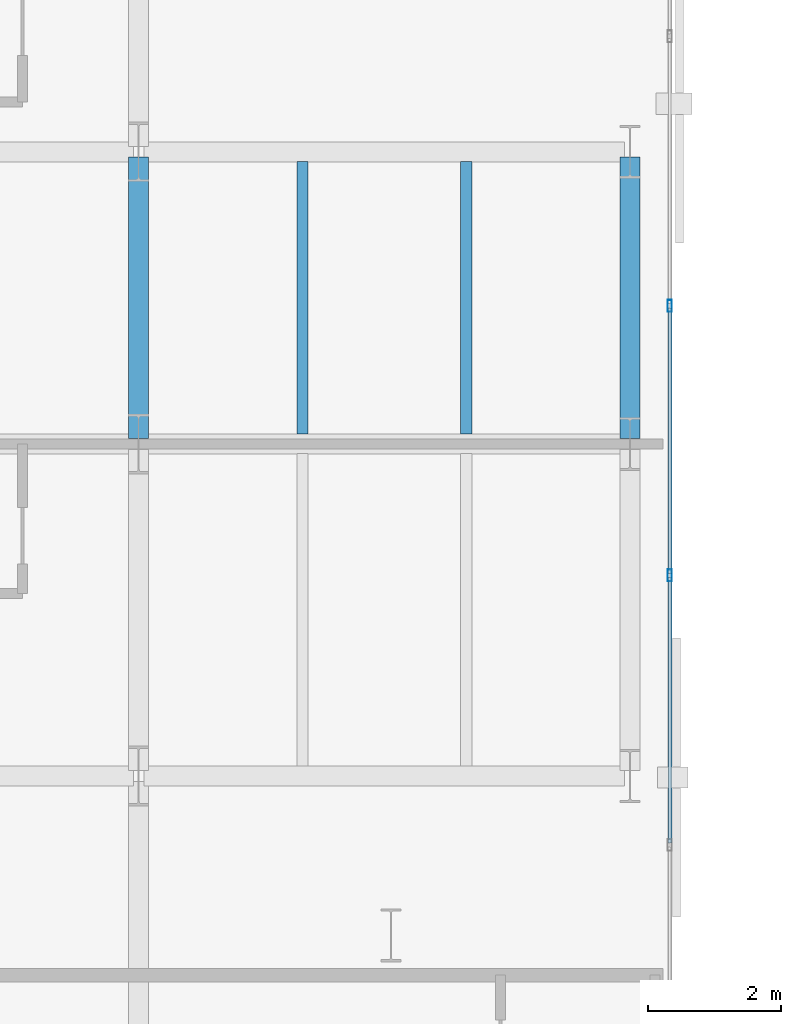
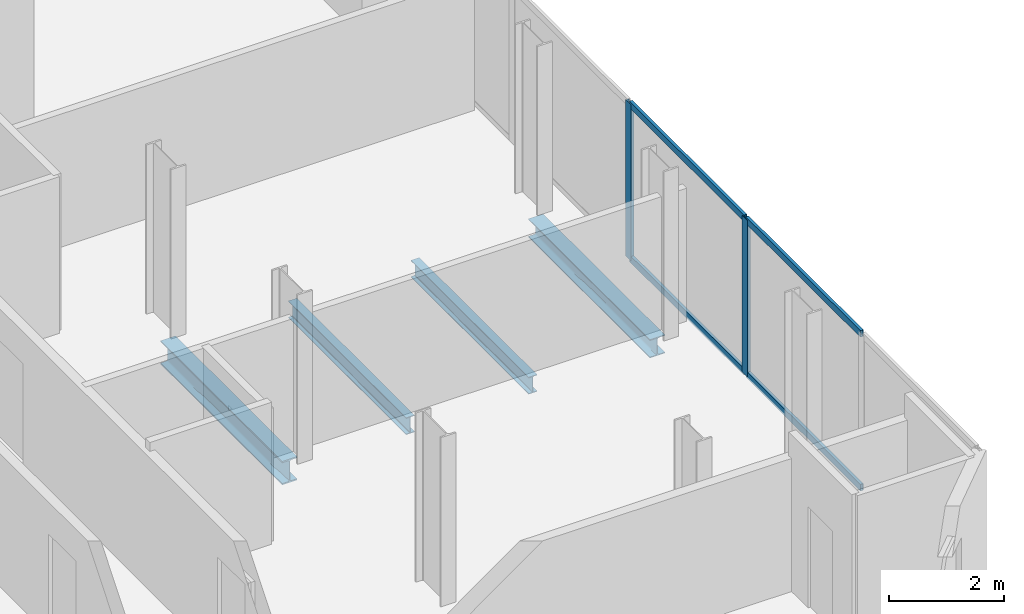
# One storey, part 8 of 32: 6 members, 4 beams, 1 element without a shape of its own.
"""IFC4 building model written with IfcOpenShell, lengths in metres."""

from ifc_helpers import new_model, si_unit, direction, frame, origin, origin_2d, place, context, subcontext, project, spatial, hollow_rectangle, i_section, extrude, material, layer, layer_set, material_profile, profile_set, type_object, element, aggregate, save


model = new_model("IFC4")

# Units and contexts
model_context = context("Model", 3, precision=1e-05, world=origin(), true_north=direction((0.0, 1.0)))
body_context = subcontext(model_context, "Body", "Model", "MODEL_VIEW")
ifc_project = project(units=[si_unit("LENGTHUNIT", "METRE"), si_unit("AREAUNIT", "SQUARE_METRE"), si_unit("VOLUMEUNIT", "CUBIC_METRE"), si_unit("PLANEANGLEUNIT", "RADIAN"), si_unit("MASSUNIT", "GRAM", prefix="KILO")], contexts=[model_context])

# Site, building, storey
site_placement = place(None, origin())
site = spatial("IfcSite", under=ifc_project, at=site_placement, CompositionType="ELEMENT")
building_placement = place(site_placement, origin())
building = spatial("IfcBuilding", under=site, at=building_placement, Name="Catumbela Crestline Tower", CompositionType="ELEMENT")
storey_placement = place(building_placement, frame((0.0, 0.0, 65.4)))
storey = spatial("IfcBuildingStorey", under=building, at=storey_placement, Name="L16", CompositionType="ELEMENT", Elevation=65.4)

# Beams
ifc_material_1 = material(Name="Structural steel S355J2", Category="steel")
ifc_material_profile_1 = material_profile(ifc_material_1, i_section(OverallWidth=0.3, OverallDepth=0.5, WebThickness=0.0145, FlangeThickness=0.028, FilletRadius=0.027, at=origin_2d()), Name="HEB 500")
ifc_profile_set_1 = profile_set([ifc_material_profile_1], Name="Structural steel S355J2")
beam_type_1 = type_object("IfcBeamType", Name="BG-HEB500", PredefinedType="BEAM", material=ifc_profile_set_1)
beam_1_placement = place(storey_placement, frame((16.0, 13.68, -0.51), z_axis=(0.0, 1.0, 0.0), x_axis=(-1.0, 0.0, 0.0)))
element("IfcBeam", 1, at=beam_1_placement, inside=storey, type_object=beam_type_1, Name="L16 Beam BM-L16-WNS66", PredefinedType="BEAM", context=body_context, shape_type="SweptSolid", body=[
    extrude(i_section(OverallWidth=0.3, OverallDepth=0.5, WebThickness=0.0145, FlangeThickness=0.028, FilletRadius=0.027, at=origin_2d()), origin(), (0.0, 0.0, 1.0), 4.24),
])
ifc_material_profile_2 = material_profile(ifc_material_1, i_section(OverallWidth=0.17, OverallDepth=0.36, WebThickness=0.008, FlangeThickness=0.0127, FilletRadius=0.018, at=origin_2d()), Name="IPE 360")
ifc_profile_set_2 = profile_set([ifc_material_profile_2], Name="Structural steel S355J2")
beam_type_2 = type_object("IfcBeamType", Name="BJ-IPE360", PredefinedType="JOIST", material=ifc_profile_set_2)
for number, where, z_axis, x_axis, name in (
    (2, (18.467, 13.747, -0.44), (0.0, 1.0, 0.0), (-1.0, 0.0, 0.0), "L16 Joist JS-L16-WG80"),
    (3, (20.933, 13.747, -0.44), (0.0, 1.0, 0.0), (-1.0, 0.0, 0.0), "L16 Joist JS-L16-WG81"),
):
    element("IfcBeam", number, at=place(storey_placement, frame(where, z_axis=z_axis, x_axis=x_axis)), inside=storey, type_object=beam_type_2, Name=name, PredefinedType="JOIST", context=body_context, shape_type="SweptSolid", body=[
        extrude(i_section(OverallWidth=0.17, OverallDepth=0.36, WebThickness=0.008, FlangeThickness=0.0127, FilletRadius=0.018, at=origin_2d()), origin(), (0.0, 0.0, 1.0), 4.106),
    ])

# Curtain wall, members
ifc_material_2 = material(Name="Aluminium alloy AW-6060-T66", Category="aluminium")
ifc_layer = layer(ifc_material_2, 0.18, Name="Aluminium alloy AW-6060-T66")
ifc_layer_set = layer_set([ifc_layer], Name="Aluminium alloy AW-6060-T66")
curtain_wall_type = type_object("IfcCurtainWallType", Name="CWU-Z1", PredefinedType="USERDEFINED", material=ifc_layer_set)
curtain_wall_placement = place(storey_placement, origin())
curtain_wall = element("IfcCurtainWall", 4, at=curtain_wall_placement, inside=storey, type_object=curtain_wall_type, Name="L16 Unitised Curtain Wall CW-L16-E2S1", ObjectType="UNITISED", PredefinedType="USERDEFINED")
ifc_material_profile_3 = material_profile(ifc_material_2, hollow_rectangle(XDim=0.065, YDim=0.18, WallThickness=0.004, at=origin_2d()), Name="ALU 180x65x4")
ifc_profile_set_3 = profile_set([ifc_material_profile_3], Name="Aluminium alloy AW-6060-T66")
member_type_1 = type_object("IfcMemberType", Name="MUL-180X65", PredefinedType="MULLION", material=ifc_profile_set_3)
member_1_placement = place(storey_placement, frame((24.0, 11.62, 0.0), z_axis=(0.0, 0.0, 1.0), x_axis=(-1.0, 0.0, 0.0)))
member_1 = element("IfcMember", 5, at=member_1_placement, type_object=member_type_1, Name="CWU-Z1 mullion 3", PredefinedType="MULLION", context=body_context, shape_type="SweptSolid", body=[
    extrude(hollow_rectangle(XDim=0.065, YDim=0.18, WallThickness=0.004, at=origin_2d()), origin(), (0.0, 0.0, 1.0), 3.33),
])
member_2_placement = place(storey_placement, frame((24.0, 15.68, 0.0), z_axis=(0.0, 0.0, 1.0), x_axis=(-1.0, 0.0, 0.0)))
member_2 = element("IfcMember", 6, at=member_2_placement, type_object=member_type_1, Name="CWU-Z1 mullion 4", PredefinedType="MULLION", context=body_context, shape_type="SweptSolid", body=[
    extrude(hollow_rectangle(XDim=0.065, YDim=0.18, WallThickness=0.004, at=origin_2d()), origin(), (0.0, 0.0, 1.0), 3.33),
])

# Beam
ifc_material_profile_4 = material_profile(ifc_material_1, i_section(OverallWidth=0.3, OverallDepth=0.39, WebThickness=0.011, FlangeThickness=0.019, FilletRadius=0.027, at=origin_2d()), Name="HEA 400")
ifc_profile_set_4 = profile_set([ifc_material_profile_4], Name="Structural steel S355J2")
beam_type_3 = type_object("IfcBeamType", Name="BS-HEA400", PredefinedType="SPANDREL", material=ifc_profile_set_4)
beam_2_placement = place(storey_placement, frame((23.4, 13.68, -0.455), z_axis=(0.0, 1.0, 0.0), x_axis=(-1.0, 0.0, 0.0)))
element("IfcBeam", 7, at=beam_2_placement, inside=storey, type_object=beam_type_3, Name="L16 Spandrel SP-L16-WNS69", PredefinedType="SPANDREL", context=body_context, shape_type="SweptSolid", body=[
    extrude(i_section(OverallWidth=0.3, OverallDepth=0.39, WebThickness=0.011, FlangeThickness=0.019, FilletRadius=0.027, at=origin_2d()), origin(), (0.0, 0.0, 1.0), 4.24),
])

# Member
ifc_material_profile_5 = material_profile(ifc_material_2, hollow_rectangle(XDim=0.06, YDim=0.14, WallThickness=0.004, at=origin_2d()), Name="ALU 140x60x4")
ifc_profile_set_5 = profile_set([ifc_material_profile_5], Name="Aluminium alloy AW-6060-T66")
member_type_2 = type_object("IfcMemberType", Name="TRN-140X60", PredefinedType="USERDEFINED", material=ifc_profile_set_5)
member_3_placement = place(storey_placement, frame((24.0, 7.5925, 0.03), z_axis=(0.0, 1.0, 0.0), x_axis=(-1.0, 0.0, 0.0)))
member_3 = element("IfcMember", 8, at=member_3_placement, type_object=member_type_2, Name="CWU-Z1 transom 2.1", ObjectType="TRANSOM", PredefinedType="USERDEFINED", context=body_context, shape_type="SweptSolid", body=[
    extrude(hollow_rectangle(XDim=0.06, YDim=0.14, WallThickness=0.004, at=origin_2d()), origin(), (0.0, 0.0, 1.0), 3.995),
])

member_4_placement = place(storey_placement, frame((24.0, 7.5925, 3.3), z_axis=(0.0, 1.0, 0.0), x_axis=(-1.0, 0.0, 0.0)))
member_4 = element("IfcMember", 9, at=member_4_placement, type_object=member_type_2, Name="CWU-Z1 transom 2.2", ObjectType="TRANSOM", PredefinedType="USERDEFINED", context=body_context, shape_type="SweptSolid", body=[
    extrude(hollow_rectangle(XDim=0.06, YDim=0.14, WallThickness=0.004, at=origin_2d()), origin(), (0.0, 0.0, 1.0), 3.995),
])

member_5_placement = place(storey_placement, frame((24.0, 11.6525, 0.03), z_axis=(0.0, 1.0, 0.0), x_axis=(-1.0, 0.0, 0.0)))
member_5 = element("IfcMember", 10, at=member_5_placement, type_object=member_type_2, Name="CWU-Z1 transom 3.1", ObjectType="TRANSOM", PredefinedType="USERDEFINED", context=body_context, shape_type="SweptSolid", body=[
    extrude(hollow_rectangle(XDim=0.06, YDim=0.14, WallThickness=0.004, at=origin_2d()), origin(), (0.0, 0.0, 1.0), 3.995),
])

member_6_placement = place(storey_placement, frame((24.0, 11.6525, 3.3), z_axis=(0.0, 1.0, 0.0), x_axis=(-1.0, 0.0, 0.0)))
member_6 = element("IfcMember", 11, at=member_6_placement, type_object=member_type_2, Name="CWU-Z1 transom 3.2", ObjectType="TRANSOM", PredefinedType="USERDEFINED", context=body_context, shape_type="SweptSolid", body=[
    extrude(hollow_rectangle(XDim=0.06, YDim=0.14, WallThickness=0.004, at=origin_2d()), origin(), (0.0, 0.0, 1.0), 3.995),
])

aggregate(curtain_wall, [member_1, member_2, member_3, member_4, member_5, member_6])

save(model, "model.ifc")
